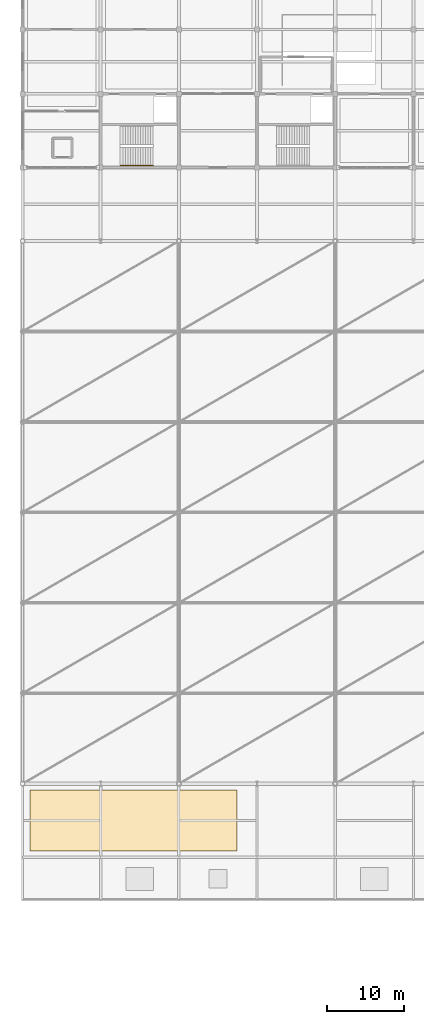
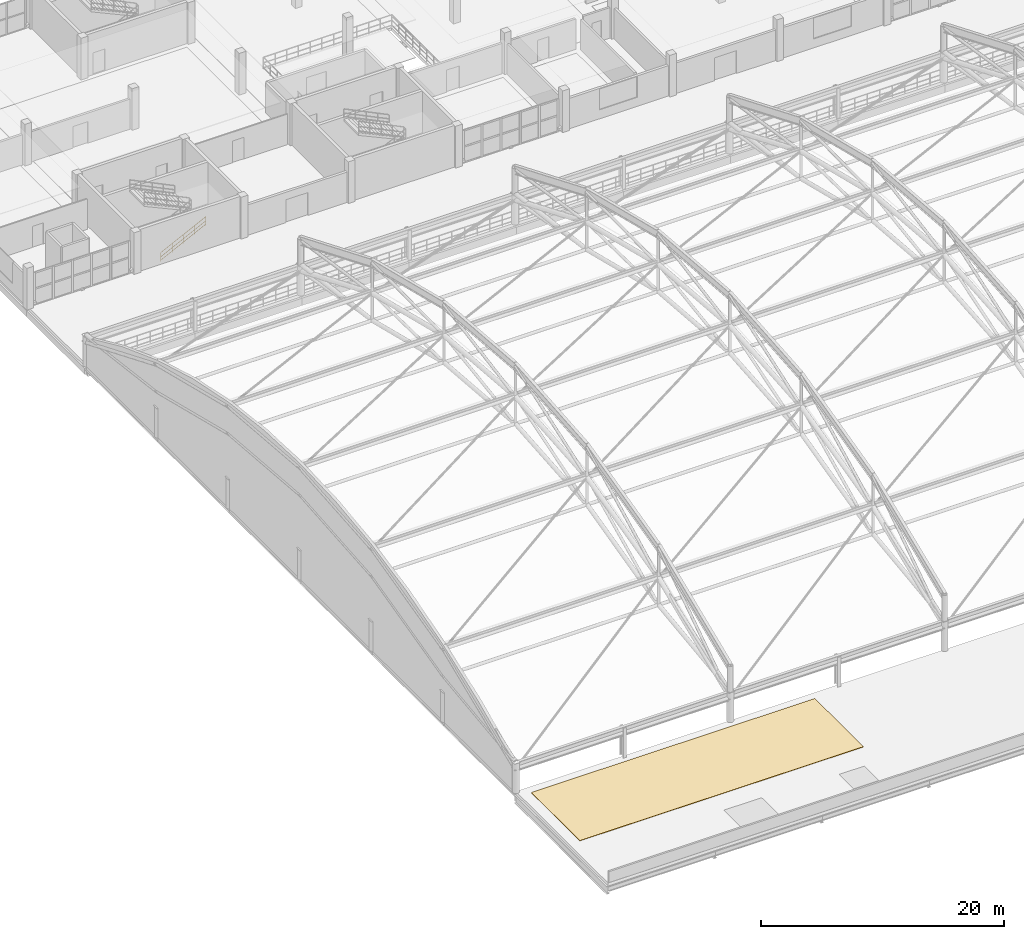
# One storey, part 130 of 135: 1 covering, 1 railing.
"""IFC4 building model written with IfcOpenShell, lengths in metres."""

from ifc_helpers import new_model, si_unit, direction, frame, origin, origin_2d, place, context, subcontext, project, spatial, polyline, circle, outline, extrude, material, layer, layer_set, type_object, element, save


model = new_model("IFC4")

# Units and contexts
model_context = context("Model", 3, precision=1e-05, world=origin(), true_north=direction((0.0, 1.0)))
body_context = subcontext(model_context, "Body", "Model", "MODEL_VIEW")
ifc_project = project(units=[si_unit("LENGTHUNIT", "METRE"), si_unit("AREAUNIT", "SQUARE_METRE"), si_unit("VOLUMEUNIT", "CUBIC_METRE"), si_unit("PLANEANGLEUNIT", "RADIAN"), si_unit("MASSUNIT", "GRAM", prefix="KILO")], contexts=[model_context])

# Site, building, storey
site_placement = place(None, origin())
site = spatial("IfcSite", under=ifc_project, at=site_placement, CompositionType="ELEMENT")
building_placement = place(site_placement, origin())
building = spatial("IfcBuilding", under=site, at=building_placement, Name="Brelvane Convention Centre", CompositionType="ELEMENT")
storey_placement = place(building_placement, frame((0.0, 0.0, 15.0)))
storey = spatial("IfcBuildingStorey", under=building, at=storey_placement, Name="L03", CompositionType="ELEMENT", Elevation=15.0)

# Covering
ifc_material_1 = material(Name="Patinated Copper-Bronze Alloy C22000")
ifc_layer = layer(ifc_material_1, 0.0400390625)
ifc_layer_set = layer_set([ifc_layer], Name="Patinated Copper-Bronze Alloy C22000")
covering_type = type_object("IfcCoveringType", Name="Envelope Covering RF-SS1", PredefinedType="ROOFING", material=ifc_layer_set)
covering_placement = place(storey_placement, origin())
element("IfcCovering", 1, at=covering_placement, inside=storey, type_object=covering_type, Name="Standing-Seam Copper Roof Covering L03-V1G", PredefinedType="ROOFING", context=body_context, shape_type="SweptSolid", body=[
    extrude(outline(polyline([(1.0, 20.0), (28.0, 20.0), (28.0, 28.0), (1.0, 28.0), (1.0, 20.0)])), origin(), (0.0, 0.0, 1.0), 0.0400390625),
])

# Railing
ifc_material_2 = material(Name="Steel E350 (350 MPa)", Category="steel")
railing_type = type_object("IfcRailingType", Name="Stair Railing HR-ST-1", PredefinedType="HANDRAIL", material=ifc_material_2)
railing_placement = place(storey_placement, frame((12.75, 109.429931640625, -0.02001953125)))
element("IfcRailing", 2, at=railing_placement, inside=storey, type_object=railing_type, Name="Stair ST-06 L03 Outer Handrail F1", PredefinedType="HANDRAIL", context=body_context, shape_type="SweptSolid", body=[
    extrude(circle(Radius=0.02392578125, at=origin_2d()), frame((0.0, 0.0, 0.89599609375), z_axis=(0.896499061709, 0.0, 0.443045632363), x_axis=(0.0, 1.0, 0.0)), (0.0, 0.0, 1.0), 4.785400390625),
    extrude(circle(Radius=0.02392578125, at=origin_2d()), frame((0.0, 0.0, 0.478271484375), z_axis=(0.896499061709, 0.0, 0.443045632363), x_axis=(0.0, 1.0, 0.0)), (0.0, 0.0, 1.0), 4.785400390625),
    extrude(circle(Radius=0.02392578125, at=origin_2d()), frame((0.0, 0.0, 0.139892578125), z_axis=(0.896499061709, 0.0, 0.443045632363), x_axis=(0.0, 1.0, 0.0)), (0.0, 0.0, 1.0), 4.785400390625),
    extrude(circle(Radius=0.02099609375, at=origin_2d()), origin(), (0.0, 0.0, 1.0), 0.871826171875),
    extrude(circle(Radius=0.02099609375, at=origin_2d()), frame((1.072509765625, 0.0, 0.530029296875)), (0.0, 0.0, 1.0), 0.871826171875),
    extrude(circle(Radius=0.02099609375, at=origin_2d()), frame((2.14501953125, 0.0, 1.06005859375)), (0.0, 0.0, 1.0), 0.871826171875),
    extrude(circle(Radius=0.02099609375, at=origin_2d()), frame((3.217529296875, 0.0, 1.590087890625)), (0.0, 0.0, 1.0), 0.871826171875),
    extrude(circle(Radius=0.02099609375, at=origin_2d()), frame((4.2900390625, 0.0, 2.1201171875)), (0.0, 0.0, 1.0), 0.871826171875),
])

save(model, "model.ifc")
